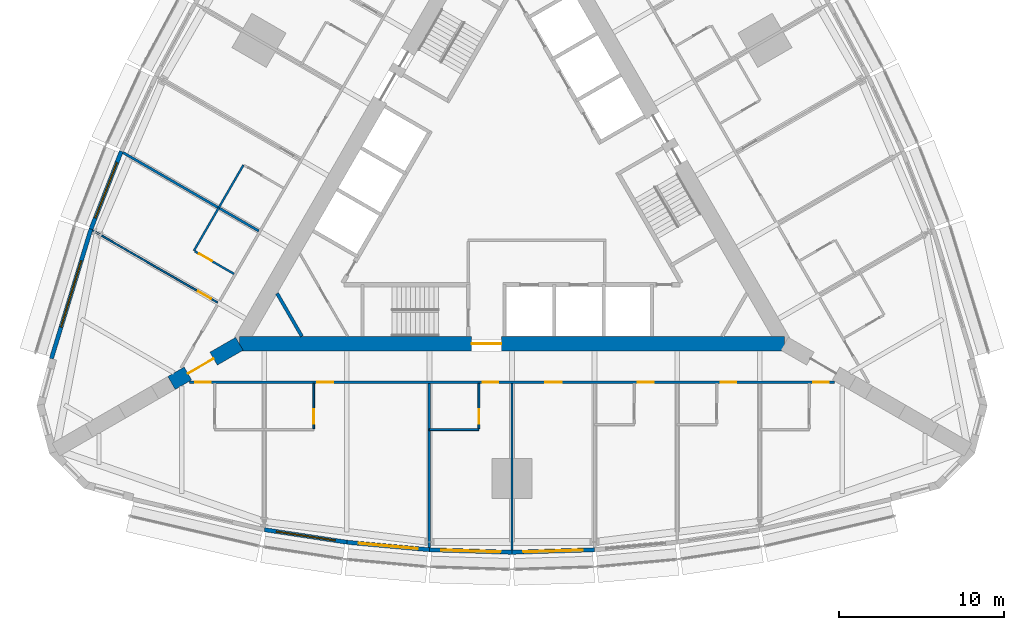
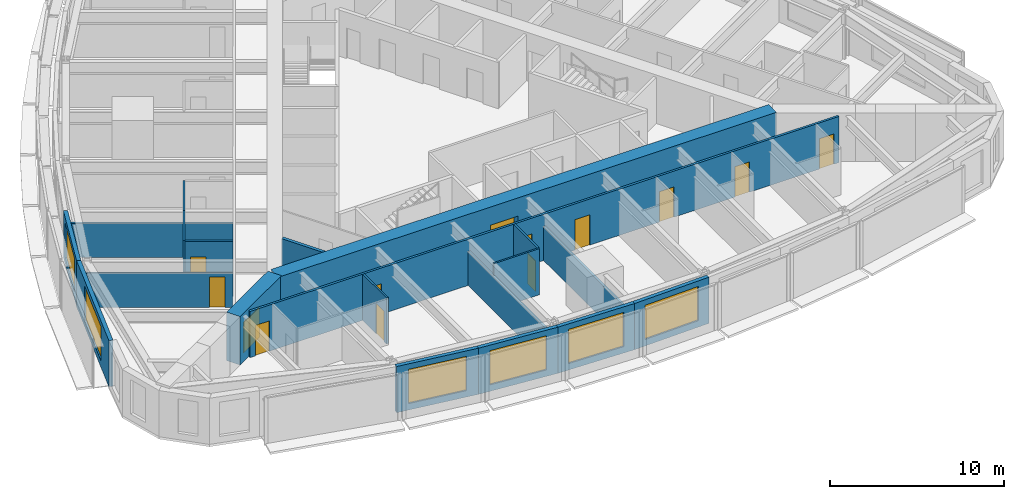
# One storey, part 8 of 14: 20 walls, 13 doors, 6 windows, 19 openings.
"""IFC4 building model written with IfcOpenShell, lengths in metres."""

from ifc_helpers import new_model, si_unit, direction, frame, frame_2d, origin, place, context, subcontext, project, spatial, rectangle, extrude, material, layer, layer_set, type_object, element, fill, save


model = new_model("IFC4")

# Units and contexts
model_context = context("Model", 3, precision=1e-05, world=origin(), true_north=direction((0.0, 1.0)))
body_context = subcontext(model_context, "Body", "Model", "MODEL_VIEW")
ifc_project = project(units=[si_unit("LENGTHUNIT", "METRE"), si_unit("AREAUNIT", "SQUARE_METRE"), si_unit("VOLUMEUNIT", "CUBIC_METRE"), si_unit("PLANEANGLEUNIT", "RADIAN"), si_unit("MASSUNIT", "GRAM", prefix="KILO")], contexts=[model_context])

# Site, building, storey
site_placement = place(None, origin())
site = spatial("IfcSite", under=ifc_project, at=site_placement, CompositionType="ELEMENT")
building_placement = place(site_placement, origin())
building = spatial("IfcBuilding", under=site, at=building_placement, Name="Trikona Tower", CompositionType="ELEMENT")
storey_placement = place(building_placement, frame((0.0, 0.0, 79.5)))
storey = spatial("IfcBuildingStorey", under=building, at=storey_placement, Name="L20", CompositionType="ELEMENT", Elevation=79.5)

# Wall, opening, door
ifc_material_1 = material(Name="Metal stud and cement board", Category="gypsum")
ifc_layer_1 = layer(ifc_material_1, 0.1201171875)
ifc_layer_set_1 = layer_set([ifc_layer_1], Name="Bathroom wall 120")
wall_type_1 = type_object("IfcWallType", Name="Bathroom wall 120", PredefinedType="PLUMBINGWALL", material=ifc_layer_set_1)
wall_1_placement = place(storey_placement, frame((-12.0, -11.92626953125, 0.0), z_axis=(0.0, 0.0, 1.0), x_axis=(0.0, -1.0, 0.0)))
wall_1 = element("IfcWall", 1, at=wall_1_placement, inside=storey, type_object=wall_type_1, Name="Bathroom wall 2002", PredefinedType="PLUMBINGWALL", context=body_context, shape_type="SweptSolid", body=[
    extrude(rectangle(XDim=2.739990234375, YDim=0.1201171875, at=frame_2d((1.3701171875, 0.0))), origin(), (0.0, 0.0, 1.0), 3.235107421875),
])
opening_1_placement = place(wall_1_placement, frame((1.550048828125, 0.0, 0.0)))
opening_1 = element("IfcOpeningElement", 2, at=opening_1_placement, cuts=wall_1, Name="Opening D2", PredefinedType="OPENING", context=body_context, shape_type="SweptSolid", body=[
    extrude(rectangle(XDim=0.89990234375, YDim=2.1298828125, at=frame_2d((0.449951171875, 1.06494140625))), frame((0.0, 0.070068359375, 0.0), z_axis=(0.0, -1.0, 0.0), x_axis=(1.0, 0.0, 0.0)), (0.0, 0.0, 1.0), 0.14013671875),
])
ifc_material_2 = material(Name="Steel door frame with solid-core timber leaf", Category="steel")
door_type_1 = type_object("IfcDoorType", Name="Bathroom door 900x2130", OperationType="SLIDING_TO_LEFT", PredefinedType="DOOR", material=ifc_material_2)
door_1_placement = place(opening_1_placement, origin())
door_1 = element("IfcDoor", 3, at=door_1_placement, inside=storey, type_object=door_type_1, Name="Bathroom door 2002", OperationType="SLIDING_TO_LEFT", OverallHeight=2.1298828125, OverallWidth=0.89990234375, PredefinedType="DOOR", context=body_context, shape_type="SweptSolid", body=[
    extrude(rectangle(XDim=0.89990234375, YDim=2.1298828125, at=frame_2d((0.449951171875, 1.06494140625))), frame((0.0, 0.02490234375, 0.0), z_axis=(0.0, -1.0, 0.0), x_axis=(1.0, 0.0, 0.0)), (0.0, 0.0, 1.0), 0.050048828125),
])
fill(opening_1, door_1)

# Wall
wall_2_placement = place(storey_placement, frame((-5.0, -14.726318359375, 0.0), z_axis=(0.0, 0.0, 1.0), x_axis=(1.0, 0.0, 0.0)))
element("IfcWall", 4, at=wall_2_placement, inside=storey, type_object=wall_type_1, Name="Bathroom wall 2003", PredefinedType="PLUMBINGWALL", context=body_context, shape_type="SweptSolid", body=[
    extrude(rectangle(XDim=3.0, YDim=0.1201171875, at=frame_2d((1.5, 0.0))), origin(), (0.0, 0.0, 1.0), 3.235107421875),
])

# Wall, opening, door
wall_3_placement = place(storey_placement, frame((-2.0, -11.92626953125, 0.0), z_axis=(0.0, 0.0, 1.0), x_axis=(0.0, -1.0, 0.0)))
wall_3 = element("IfcWall", 5, at=wall_3_placement, inside=storey, type_object=wall_type_1, Name="Bathroom wall 2003", PredefinedType="PLUMBINGWALL", context=body_context, shape_type="SweptSolid", body=[
    extrude(rectangle(XDim=2.739990234375, YDim=0.1201171875, at=frame_2d((1.3701171875, 0.0))), origin(), (0.0, 0.0, 1.0), 3.235107421875),
])
opening_2_placement = place(wall_3_placement, frame((1.550048828125, 0.0, 0.0)))
opening_2 = element("IfcOpeningElement", 6, at=opening_2_placement, cuts=wall_3, Name="Opening D2", PredefinedType="OPENING", context=body_context, shape_type="SweptSolid", body=[
    extrude(rectangle(XDim=0.89990234375, YDim=2.1298828125, at=frame_2d((0.449951171875, 1.06494140625))), frame((0.0, 0.070068359375, 0.0), z_axis=(0.0, -1.0, 0.0), x_axis=(1.0, 0.0, 0.0)), (0.0, 0.0, 1.0), 0.14013671875),
])
door_2_placement = place(opening_2_placement, origin())
door_2 = element("IfcDoor", 7, at=door_2_placement, inside=storey, type_object=door_type_1, Name="Bathroom door 2003", OperationType="SLIDING_TO_LEFT", OverallHeight=2.1298828125, OverallWidth=0.89990234375, PredefinedType="DOOR", context=body_context, shape_type="SweptSolid", body=[
    extrude(rectangle(XDim=0.89990234375, YDim=2.1298828125, at=frame_2d((0.449951171875, 1.06494140625))), frame((0.0, 0.02490234375, 0.0), z_axis=(0.0, -1.0, 0.0), x_axis=(1.0, 0.0, 0.0)), (0.0, 0.0, 1.0), 0.050048828125),
])
fill(opening_2, door_2)

# Walls
for number, where, z_axis, x_axis, name in (
    (8, (-16.25341796875, 1.301025390625, 0.0), (0.0, 0.0, 1.0), (-0.499990139034, -0.866031096941, 0.0), "Bathroom wall 2015.1"),
    (9, (-17.75341796875, -1.297119140625, 0.0), (0.0, 0.0, 1.0), (-0.499990139034, -0.866031096941, 0.0), "Bathroom wall 2016.1"),
):
    element("IfcWall", number, at=place(storey_placement, frame(where, z_axis=z_axis, x_axis=x_axis)), inside=storey, type_object=wall_type_1, Name=name, PredefinedType="PLUMBINGWALL", context=body_context, shape_type="SweptSolid", body=[
        extrude(rectangle(XDim=3.0, YDim=0.1201171875, at=frame_2d((1.5, 0.0))), origin(), (0.0, 0.0, 1.0), 3.235107421875),
    ])

# Wall, opening, door
wall_4_placement = place(storey_placement, frame((-16.82861328125, -5.295166015625, 0.0), z_axis=(0.0, 0.0, 1.0), x_axis=(-0.866035715982, 0.499982138324, 0.0)))
wall_4 = element("IfcWall", 10, at=wall_4_placement, inside=storey, type_object=wall_type_1, Name="Bathroom wall 2016.1", PredefinedType="PLUMBINGWALL", context=body_context, shape_type="SweptSolid", body=[
    extrude(rectangle(XDim=2.73974609375, YDim=0.1201171875, at=frame_2d((1.369873046875, 0.0))), origin(), (0.0, 0.0, 1.0), 3.235107421875),
])
opening_3_placement = place(wall_4_placement, frame((1.550048828125, 0.0, 0.0)))
opening_3 = element("IfcOpeningElement", 11, at=opening_3_placement, cuts=wall_4, Name="Opening D2", PredefinedType="OPENING", context=body_context, shape_type="SweptSolid", body=[
    extrude(rectangle(XDim=0.89990234375, YDim=2.1298828125, at=frame_2d((0.449951171875, 1.06494140625))), frame((0.0, 0.070068359375, 0.0), z_axis=(0.0, -1.0, 0.0), x_axis=(1.0, 0.0, 0.0)), (0.0, 0.0, 1.0), 0.14013671875),
])
door_3_placement = place(opening_3_placement, origin())
door_3 = element("IfcDoor", 12, at=door_3_placement, inside=storey, type_object=door_type_1, Name="Bathroom door 2016.1", OperationType="SLIDING_TO_LEFT", OverallHeight=2.1298828125, OverallWidth=0.89990234375, PredefinedType="DOOR", context=body_context, shape_type="SweptSolid", body=[
    extrude(rectangle(XDim=0.89990234375, YDim=2.1298828125, at=frame_2d((0.449951171875, 1.06494140625))), frame((0.0, 0.02490234375, 0.0), z_axis=(0.0, -1.0, 0.0), x_axis=(1.0, 0.0, 0.0)), (0.0, 0.0, 1.0), 0.050048828125),
])
fill(opening_3, door_3)

ifc_material_3 = material(Name="Concrete f'c 10000 psi", Category="concrete")
ifc_layer_2 = layer(ifc_material_3, 0.89990234375)
ifc_layer_set_2 = layer_set([ifc_layer_2], Name="Buttress wall 900")
wall_type_2 = type_object("IfcWallType", Name="Buttress wall 900", PredefinedType="SHEAR", material=ifc_layer_set_2)
wall_5_placement = place(storey_placement, frame((-16.5, -9.5263671875, 0.0), z_axis=(0.0, 0.0, 1.0), x_axis=(-0.866031398331, -0.499989616998, 0.0)))
wall_5 = element("IfcWall", 13, at=wall_5_placement, inside=storey, type_object=wall_type_2, Name="Buttress wall 3", PredefinedType="SHEAR", context=body_context, shape_type="SweptSolid", body=[
    extrude(rectangle(XDim=4.74609375, YDim=0.89990234375, at=frame_2d((2.373046875, 0.0))), origin(), (0.0, 0.0, 1.0), 3.39990234375),
])
opening_4_placement = place(wall_5_placement, frame((1.800048828125, 0.0, 0.0)))
opening_4 = element("IfcOpeningElement", 14, at=opening_4_placement, cuts=wall_5, Name="Opening D10", PredefinedType="OPENING", context=body_context, shape_type="SweptSolid", body=[
    extrude(rectangle(XDim=1.800048828125, YDim=2.1298828125, at=frame_2d((0.89990234375, 1.06494140625))), frame((0.0, 0.4599609375, 0.0), z_axis=(0.0, -1.0, 0.0), x_axis=(1.0, 0.0, 0.0)), (0.0, 0.0, 1.0), 0.919921875),
])
ifc_material_4 = material(Name="Hollow metal door and frame", Category="steel")
door_type_2 = type_object("IfcDoorType", Name="Cross-corridor door pair 1800x2130", OperationType="DOUBLE_DOOR_DOUBLE_SWING", PredefinedType="DOOR", material=ifc_material_4)
door_4_placement = place(opening_4_placement, origin())
door_4 = element("IfcDoor", 15, at=door_4_placement, inside=storey, type_object=door_type_2, Name="Cross-corridor door 3", OperationType="DOUBLE_DOOR_DOUBLE_SWING", OverallHeight=2.1298828125, OverallWidth=1.800048828125, PredefinedType="DOOR", context=body_context, shape_type="SweptSolid", body=[
    extrude(rectangle(XDim=1.800048828125, YDim=2.1298828125, at=frame_2d((0.89990234375, 1.06494140625))), frame((0.0, 0.02490234375, 0.0), z_axis=(0.0, -1.0, 0.0), x_axis=(1.0, 0.0, 0.0)), (0.0, 0.0, 1.0), 0.050048828125),
])
fill(opening_4, door_4)

ifc_material_5 = material(Name="Concrete f'c 10000 psi", Category="concrete")
ifc_layer_3 = layer(ifc_material_5, 0.89990234375)
ifc_layer_set_3 = layer_set([ifc_layer_3], Name="Core wall 900")
wall_type_3 = type_object("IfcWallType", Name="Core wall 900", PredefinedType="SHEAR", material=ifc_layer_set_3)
wall_6_placement = place(storey_placement, frame((-16.5, -9.5263671875, 0.0), z_axis=(0.0, 0.0, 1.0), x_axis=(1.0, 0.0, 0.0)))
wall_6 = element("IfcWall", 16, at=wall_6_placement, inside=storey, type_object=wall_type_3, Name="Core wall A", PredefinedType="SHEAR", context=body_context, shape_type="SweptSolid", body=[
    extrude(rectangle(XDim=33.0, YDim=0.89990234375, at=frame_2d((16.5, 0.0))), origin(), (0.0, 0.0, 1.0), 3.39990234375),
])
opening_5_placement = place(wall_6_placement, frame((14.050048828125, 0.0, 0.0)))
opening_5 = element("IfcOpeningElement", 17, at=opening_5_placement, cuts=wall_6, Name="Opening D6", PredefinedType="OPENING", context=body_context, shape_type="SweptSolid", body=[
    extrude(rectangle(XDim=1.800048828125, YDim=2.1298828125, at=frame_2d((0.89990234375, 1.06494140625))), frame((0.0, 0.4599609375, 0.0), z_axis=(0.0, -1.0, 0.0), x_axis=(1.0, 0.0, 0.0)), (0.0, 0.0, 1.0), 0.919921875),
])
ifc_material_6 = material(Name="Hollow metal door and frame", Category="steel")
door_type_3 = type_object("IfcDoorType", Name="Lobby door pair 1800x2130", OperationType="DOUBLE_DOOR_SINGLE_SWING", PredefinedType="DOOR", material=ifc_material_6)
door_5_placement = place(opening_5_placement, origin())
door_5 = element("IfcDoor", 18, at=door_5_placement, inside=storey, type_object=door_type_3, Name="Fire service lift lobby door", OperationType="DOUBLE_DOOR_SINGLE_SWING", OverallHeight=2.1298828125, OverallWidth=1.800048828125, PredefinedType="DOOR", context=body_context, shape_type="SweptSolid", body=[
    extrude(rectangle(XDim=1.800048828125, YDim=2.1298828125, at=frame_2d((0.89990234375, 1.06494140625))), frame((0.0, 0.02490234375, 0.0), z_axis=(0.0, -1.0, 0.0), x_axis=(1.0, 0.0, 0.0)), (0.0, 0.0, 1.0), 0.050048828125),
])
fill(opening_5, door_5)

# Wall, openings, doors
ifc_material_7 = material(Name="Metal stud and gypsum board, 1-hour", Category="gypsum")
ifc_layer_4 = layer(ifc_material_7, 0.14990234375)
ifc_layer_set_4 = layer_set([ifc_layer_4], Name="Corridor wall 150")
wall_type_4 = type_object("IfcWallType", Name="Corridor wall 150", PredefinedType="PARTITIONING", material=ifc_layer_set_4)
wall_7_placement = place(storey_placement, frame((-19.527099609375, -11.851318359375, 0.0), z_axis=(0.0, 0.0, 1.0), x_axis=(1.0, 0.0, 0.0)))
wall_7 = element("IfcWall", 19, at=wall_7_placement, inside=storey, type_object=wall_type_4, Name="Corridor wall L20-1", PredefinedType="PARTITIONING", context=body_context, shape_type="SweptSolid", body=[
    extrude(rectangle(XDim=39.05419921875, YDim=0.14990234375, at=frame_2d((19.527099609375, 0.0))), origin(), (0.0, 0.0, 1.0), 3.235107421875),
])
opening_6_placement = place(wall_7_placement, frame((0.35205078125, 0.0, 0.0)))
opening_6 = element("IfcOpeningElement", 20, at=opening_6_placement, cuts=wall_7, Name="Opening D1", PredefinedType="OPENING", context=body_context, shape_type="SweptSolid", body=[
    extrude(rectangle(XDim=0.949951171875, YDim=2.1298828125, at=frame_2d((0.47509765625, 1.06494140625))), frame((0.0, 0.0849609375, 0.0), z_axis=(0.0, -1.0, 0.0), x_axis=(1.0, 0.0, 0.0)), (0.0, 0.0, 1.0), 0.169921875),
])
opening_7_placement = place(wall_7_placement, frame((7.751953125, 0.0, 0.0)))
opening_7 = element("IfcOpeningElement", 21, at=opening_7_placement, cuts=wall_7, Name="Opening D1", PredefinedType="OPENING", context=body_context, shape_type="SweptSolid", body=[
    extrude(rectangle(XDim=0.949951171875, YDim=2.1298828125, at=frame_2d((0.47509765625, 1.06494140625))), frame((0.0, 0.0849609375, 0.0), z_axis=(0.0, -1.0, 0.0), x_axis=(1.0, 0.0, 0.0)), (0.0, 0.0, 1.0), 0.169921875),
])
opening_8_placement = place(wall_7_placement, frame((17.751953125, 0.0, 0.0)))
opening_8 = element("IfcOpeningElement", 22, at=opening_8_placement, cuts=wall_7, Name="Opening D1", PredefinedType="OPENING", context=body_context, shape_type="SweptSolid", body=[
    extrude(rectangle(XDim=0.949951171875, YDim=2.1298828125, at=frame_2d((0.47509765625, 1.06494140625))), frame((0.0, 0.0849609375, 0.0), z_axis=(0.0, -1.0, 0.0), x_axis=(1.0, 0.0, 0.0)), (0.0, 0.0, 1.0), 0.169921875),
])
opening_9_placement = place(wall_7_placement, frame((21.527099609375, 0.0, 0.0)))
opening_9 = element("IfcOpeningElement", 23, at=opening_9_placement, cuts=wall_7, Name="Opening D3", PredefinedType="OPENING", context=body_context, shape_type="SweptSolid", body=[
    extrude(rectangle(XDim=1.0, YDim=2.1298828125, at=frame_2d((0.5, 1.06494140625))), frame((0.0, 0.0849609375, 0.0), z_axis=(0.0, -1.0, 0.0), x_axis=(1.0, 0.0, 0.0)), (0.0, 0.0, 1.0), 0.169921875),
])
opening_10_placement = place(wall_7_placement, frame((27.152099609375, 0.0, 0.0)))
opening_10 = element("IfcOpeningElement", 24, at=opening_10_placement, cuts=wall_7, Name="Opening D1", PredefinedType="OPENING", context=body_context, shape_type="SweptSolid", body=[
    extrude(rectangle(XDim=0.949951171875, YDim=2.1298828125, at=frame_2d((0.47509765625, 1.06494140625))), frame((0.0, 0.0849609375, 0.0), z_axis=(0.0, -1.0, 0.0), x_axis=(1.0, 0.0, 0.0)), (0.0, 0.0, 1.0), 0.169921875),
])
opening_11_placement = place(wall_7_placement, frame((32.152099609375, 0.0, 0.0)))
opening_11 = element("IfcOpeningElement", 25, at=opening_11_placement, cuts=wall_7, Name="Opening D1", PredefinedType="OPENING", context=body_context, shape_type="SweptSolid", body=[
    extrude(rectangle(XDim=0.949951171875, YDim=2.1298828125, at=frame_2d((0.47509765625, 1.06494140625))), frame((0.0, 0.0849609375, 0.0), z_axis=(0.0, -1.0, 0.0), x_axis=(1.0, 0.0, 0.0)), (0.0, 0.0, 1.0), 0.169921875),
])
opening_12_placement = place(wall_7_placement, frame((37.751953125, 0.0, 0.0)))
opening_12 = element("IfcOpeningElement", 26, at=opening_12_placement, cuts=wall_7, Name="Opening D1", PredefinedType="OPENING", context=body_context, shape_type="SweptSolid", body=[
    extrude(rectangle(XDim=0.949951171875, YDim=2.1298828125, at=frame_2d((0.47509765625, 1.06494140625))), frame((0.0, 0.0849609375, 0.0), z_axis=(0.0, -1.0, 0.0), x_axis=(1.0, 0.0, 0.0)), (0.0, 0.0, 1.0), 0.169921875),
])
ifc_material_8 = material(Name="Steel door frame with solid-core timber leaf", Category="steel")
door_type_4 = type_object("IfcDoorType", Name="Guest room door 950x2130", OperationType="SINGLE_SWING_LEFT", PredefinedType="DOOR", material=ifc_material_8)
door_6_placement = place(opening_6_placement, origin())
door_6 = element("IfcDoor", 27, at=door_6_placement, inside=storey, type_object=door_type_4, Name="Room door 2001", OperationType="SINGLE_SWING_LEFT", OverallHeight=2.1298828125, OverallWidth=0.949951171875, PredefinedType="DOOR", context=body_context, shape_type="SweptSolid", body=[
    extrude(rectangle(XDim=0.949951171875, YDim=2.1298828125, at=frame_2d((0.47509765625, 1.06494140625))), frame((0.0, 0.02490234375, 0.0), z_axis=(0.0, -1.0, 0.0), x_axis=(1.0, 0.0, 0.0)), (0.0, 0.0, 1.0), 0.050048828125),
])
fill(opening_6, door_6)
door_7_placement = place(opening_7_placement, origin())
door_7 = element("IfcDoor", 28, at=door_7_placement, inside=storey, type_object=door_type_4, Name="Room door 2002", OperationType="SINGLE_SWING_RIGHT", OverallHeight=2.1298828125, OverallWidth=0.949951171875, PredefinedType="DOOR", context=body_context, shape_type="SweptSolid", body=[
    extrude(rectangle(XDim=0.949951171875, YDim=2.1298828125, at=frame_2d((0.47509765625, 1.06494140625))), frame((0.0, 0.02490234375, 0.0), z_axis=(0.0, -1.0, 0.0), x_axis=(1.0, 0.0, 0.0)), (0.0, 0.0, 1.0), 0.050048828125),
])
fill(opening_7, door_7)
door_8_placement = place(opening_8_placement, origin())
door_8 = element("IfcDoor", 29, at=door_8_placement, inside=storey, type_object=door_type_4, Name="Room door 2003", OperationType="SINGLE_SWING_LEFT", OverallHeight=2.1298828125, OverallWidth=0.949951171875, PredefinedType="DOOR", context=body_context, shape_type="SweptSolid", body=[
    extrude(rectangle(XDim=0.949951171875, YDim=2.1298828125, at=frame_2d((0.47509765625, 1.06494140625))), frame((0.0, 0.02490234375, 0.0), z_axis=(0.0, -1.0, 0.0), x_axis=(1.0, 0.0, 0.0)), (0.0, 0.0, 1.0), 0.050048828125),
])
fill(opening_8, door_8)
door_9_placement = place(opening_10_placement, origin())
door_9 = element("IfcDoor", 30, at=door_9_placement, inside=storey, type_object=door_type_4, Name="Room door 2004", OperationType="SINGLE_SWING_LEFT", OverallHeight=2.1298828125, OverallWidth=0.949951171875, PredefinedType="DOOR", context=body_context, shape_type="SweptSolid", body=[
    extrude(rectangle(XDim=0.949951171875, YDim=2.1298828125, at=frame_2d((0.47509765625, 1.06494140625))), frame((0.0, 0.02490234375, 0.0), z_axis=(0.0, -1.0, 0.0), x_axis=(1.0, 0.0, 0.0)), (0.0, 0.0, 1.0), 0.050048828125),
])
fill(opening_10, door_9)
door_10_placement = place(opening_11_placement, origin())
door_10 = element("IfcDoor", 31, at=door_10_placement, inside=storey, type_object=door_type_4, Name="Room door 2005", OperationType="SINGLE_SWING_RIGHT", OverallHeight=2.1298828125, OverallWidth=0.949951171875, PredefinedType="DOOR", context=body_context, shape_type="SweptSolid", body=[
    extrude(rectangle(XDim=0.949951171875, YDim=2.1298828125, at=frame_2d((0.47509765625, 1.06494140625))), frame((0.0, 0.02490234375, 0.0), z_axis=(0.0, -1.0, 0.0), x_axis=(1.0, 0.0, 0.0)), (0.0, 0.0, 1.0), 0.050048828125),
])
fill(opening_11, door_10)
door_11_placement = place(opening_12_placement, origin())
door_11 = element("IfcDoor", 32, at=door_11_placement, inside=storey, type_object=door_type_4, Name="Room door 2006", OperationType="SINGLE_SWING_RIGHT", OverallHeight=2.1298828125, OverallWidth=0.949951171875, PredefinedType="DOOR", context=body_context, shape_type="SweptSolid", body=[
    extrude(rectangle(XDim=0.949951171875, YDim=2.1298828125, at=frame_2d((0.47509765625, 1.06494140625))), frame((0.0, 0.02490234375, 0.0), z_axis=(0.0, -1.0, 0.0), x_axis=(1.0, 0.0, 0.0)), (0.0, 0.0, 1.0), 0.050048828125),
])
fill(opening_12, door_11)
ifc_material_9 = material(Name="Steel door frame with solid-core timber leaf", Category="steel")
door_type_5 = type_object("IfcDoorType", Name="Room door 1000x2130", OperationType="SINGLE_SWING_LEFT", PredefinedType="DOOR", material=ifc_material_9)
door_12_placement = place(opening_9_placement, origin())
door_12 = element("IfcDoor", 33, at=door_12_placement, inside=storey, type_object=door_type_5, Name="Door Housekeeping pantry", OperationType="SINGLE_SWING_RIGHT", OverallHeight=2.1298828125, OverallWidth=1.0, PredefinedType="DOOR", context=body_context, shape_type="SweptSolid", body=[
    extrude(rectangle(XDim=1.0, YDim=2.1298828125, at=frame_2d((0.5, 1.06494140625))), frame((0.0, 0.02490234375, 0.0), z_axis=(0.0, -1.0, 0.0), x_axis=(1.0, 0.0, 0.0)), (0.0, 0.0, 1.0), 0.050048828125),
])
fill(opening_9, door_12)

# Wall, opening, window
ifc_material_10 = material(Name="Insulated precast concrete spandrel panel", Category="concrete")
ifc_layer_5 = layer(ifc_material_10, 0.25)
ifc_layer_set_5 = layer_set([ifc_layer_5], Name="Inner skin wall 250")
wall_type_5 = type_object("IfcWallType", Name="Inner skin wall 250", PredefinedType="STANDARD", material=ifc_layer_set_5)
wall_8_placement = place(storey_placement, frame((-14.981201171875, -20.779296875, 0.0), z_axis=(0.0, 0.0, 1.0), x_axis=(0.988615403399, -0.150464561152, 0.0)))
wall_8 = element("IfcWall", 34, at=wall_8_placement, inside=storey, type_object=wall_type_5, Name="External wall L20-01", PredefinedType="STANDARD", context=body_context, shape_type="SweptSolid", body=[
    extrude(rectangle(XDim=5.0576171875, YDim=0.25, at=frame_2d((2.52880859375, 0.0))), origin(), (0.0, 0.0, 1.0), 3.235107421875),
])
opening_13_placement = place(wall_8_placement, frame((0.728759765625, 0.0, 0.449951171875)))
opening_13 = element("IfcOpeningElement", 35, at=opening_13_placement, cuts=wall_8, Name="Opening W3624", PredefinedType="OPENING", context=body_context, shape_type="SweptSolid", body=[
    extrude(rectangle(XDim=3.60009765625, YDim=2.39990234375, at=frame_2d((1.800048828125, 1.199951171875))), frame((0.0, 0.135009765625, 0.0), z_axis=(0.0, -1.0, 0.0), x_axis=(1.0, 0.0, 0.0)), (0.0, 0.0, 1.0), 0.27001953125),
])
ifc_material_11 = material(Name="Aluminium-framed double glazing", Category="aluminium")
window_type_1 = type_object("IfcWindowType", Name="Window 3600x2400", PartitioningType="SINGLE_PANEL", PredefinedType="WINDOW", material=ifc_material_11)
window_1_placement = place(opening_13_placement, origin())
window_1 = element("IfcWindow", 36, at=window_1_placement, inside=storey, type_object=window_type_1, Name="Window 2002", OverallHeight=2.39990234375, OverallWidth=3.60009765625, PartitioningType="SINGLE_PANEL", PredefinedType="WINDOW", context=body_context, shape_type="SweptSolid", body=[
    extrude(rectangle(XDim=3.60009765625, YDim=2.39990234375, at=frame_2d((1.800048828125, 1.199951171875))), frame((0.0, 0.030029296875, 0.0), z_axis=(0.0, -1.0, 0.0), x_axis=(1.0, 0.0, 0.0)), (0.0, 0.0, 1.0), 0.06005859375),
])
fill(opening_13, window_1)

wall_9_placement = place(storey_placement, frame((-9.988525390625, -21.539306640625, 0.0), z_axis=(0.0, 0.0, 1.0), x_axis=(0.995857256774, -0.090930325692, 0.0)))
wall_9 = element("IfcWall", 37, at=wall_9_placement, inside=storey, type_object=wall_type_5, Name="External wall L20-02", PredefinedType="STANDARD", context=body_context, shape_type="SweptSolid", body=[
    extrude(rectangle(XDim=5.020751953125, YDim=0.25, at=frame_2d((2.51025390625, 0.0))), origin(), (0.0, 0.0, 1.0), 3.235107421875),
])
opening_14_placement = place(wall_9_placement, frame((0.71044921875, 0.0, 0.449951171875)))
opening_14 = element("IfcOpeningElement", 38, at=opening_14_placement, cuts=wall_9, Name="Opening W3624", PredefinedType="OPENING", context=body_context, shape_type="SweptSolid", body=[
    extrude(rectangle(XDim=3.60009765625, YDim=2.39990234375, at=frame_2d((1.800048828125, 1.199951171875))), frame((0.0, 0.135009765625, 0.0), z_axis=(0.0, -1.0, 0.0), x_axis=(1.0, 0.0, 0.0)), (0.0, 0.0, 1.0), 0.27001953125),
])
window_2_placement = place(opening_14_placement, origin())
window_2 = element("IfcWindow", 39, at=window_2_placement, inside=storey, type_object=window_type_1, Name="Window 2002", OverallHeight=2.39990234375, OverallWidth=3.60009765625, PartitioningType="SINGLE_PANEL", PredefinedType="WINDOW", context=body_context, shape_type="SweptSolid", body=[
    extrude(rectangle(XDim=3.60009765625, YDim=2.39990234375, at=frame_2d((1.800048828125, 1.199951171875))), frame((0.0, 0.030029296875, 0.0), z_axis=(0.0, -1.0, 0.0), x_axis=(1.0, 0.0, 0.0)), (0.0, 0.0, 1.0), 0.06005859375),
])
fill(opening_14, window_2)

wall_10_placement = place(storey_placement, frame((-4.99609375, -21.99560546875, 0.0), z_axis=(0.0, 0.0, 1.0), x_axis=(0.999537635046, -0.030405856769, 0.0)))
wall_10 = element("IfcWall", 40, at=wall_10_placement, inside=storey, type_object=wall_type_5, Name="External wall L20-03", PredefinedType="STANDARD", context=body_context, shape_type="SweptSolid", body=[
    extrude(rectangle(XDim=5.002197265625, YDim=0.25, at=frame_2d((2.5009765625, 0.0))), origin(), (0.0, 0.0, 1.0), 3.235107421875),
])
opening_15_placement = place(wall_10_placement, frame((0.701171875, 0.0, 0.449951171875)))
opening_15 = element("IfcOpeningElement", 41, at=opening_15_placement, cuts=wall_10, Name="Opening W3624", PredefinedType="OPENING", context=body_context, shape_type="SweptSolid", body=[
    extrude(rectangle(XDim=3.60009765625, YDim=2.39990234375, at=frame_2d((1.800048828125, 1.199951171875))), frame((0.0, 0.135009765625, 0.0), z_axis=(0.0, -1.0, 0.0), x_axis=(1.0, 0.0, 0.0)), (0.0, 0.0, 1.0), 0.27001953125),
])
window_3_placement = place(opening_15_placement, origin())
window_3 = element("IfcWindow", 42, at=window_3_placement, inside=storey, type_object=window_type_1, Name="Window 2003", OverallHeight=2.39990234375, OverallWidth=3.60009765625, PartitioningType="SINGLE_PANEL", PredefinedType="WINDOW", context=body_context, shape_type="SweptSolid", body=[
    extrude(rectangle(XDim=3.60009765625, YDim=2.39990234375, at=frame_2d((1.800048828125, 1.199951171875))), frame((0.0, 0.030029296875, 0.0), z_axis=(0.0, -1.0, 0.0), x_axis=(1.0, 0.0, 0.0)), (0.0, 0.0, 1.0), 0.06005859375),
])
fill(opening_15, window_3)

wall_11_placement = place(storey_placement, frame((-0.00390625, -22.147705078125, 0.0), z_axis=(0.0, 0.0, 1.0), x_axis=(0.999537635046, 0.030405856769, 0.0)))
wall_11 = element("IfcWall", 43, at=wall_11_placement, inside=storey, type_object=wall_type_5, Name="External wall L20-04", PredefinedType="STANDARD", context=body_context, shape_type="SweptSolid", body=[
    extrude(rectangle(XDim=5.002197265625, YDim=0.25, at=frame_2d((2.5009765625, 0.0))), origin(), (0.0, 0.0, 1.0), 3.235107421875),
])
opening_16_placement = place(wall_11_placement, frame((0.701171875, 0.0, 0.449951171875)))
opening_16 = element("IfcOpeningElement", 44, at=opening_16_placement, cuts=wall_11, Name="Opening W3624", PredefinedType="OPENING", context=body_context, shape_type="SweptSolid", body=[
    extrude(rectangle(XDim=3.60009765625, YDim=2.39990234375, at=frame_2d((1.800048828125, 1.199951171875))), frame((0.0, 0.135009765625, 0.0), z_axis=(0.0, -1.0, 0.0), x_axis=(1.0, 0.0, 0.0)), (0.0, 0.0, 1.0), 0.27001953125),
])
window_4_placement = place(opening_16_placement, origin())
window_4 = element("IfcWindow", 45, at=window_4_placement, inside=storey, type_object=window_type_1, Name="Window L20-HKP", OverallHeight=2.39990234375, OverallWidth=3.60009765625, PartitioningType="SINGLE_PANEL", PredefinedType="WINDOW", context=body_context, shape_type="SweptSolid", body=[
    extrude(rectangle(XDim=3.60009765625, YDim=2.39990234375, at=frame_2d((1.800048828125, 1.199951171875))), frame((0.0, 0.030029296875, 0.0), z_axis=(0.0, -1.0, 0.0), x_axis=(1.0, 0.0, 0.0)), (0.0, 0.0, 1.0), 0.06005859375),
])
fill(opening_16, window_4)

wall_12_placement = place(storey_placement, frame((-23.64501953125, 2.126220703125, 0.0), z_axis=(0.0, 0.0, 1.0), x_axis=(-0.364013463868, -0.931393685894, 0.0)))
wall_12 = element("IfcWall", 46, at=wall_12_placement, inside=storey, type_object=wall_type_5, Name="External wall L20-30", PredefinedType="STANDARD", context=body_context, shape_type="SweptSolid", body=[
    extrude(rectangle(XDim=5.0576171875, YDim=0.25, at=frame_2d((2.52880859375, 0.0))), origin(), (0.0, 0.0, 1.0), 3.235107421875),
])
opening_17_placement = place(wall_12_placement, frame((0.728759765625, 0.0, 0.449951171875)))
opening_17 = element("IfcOpeningElement", 47, at=opening_17_placement, cuts=wall_12, Name="Opening W3624", PredefinedType="OPENING", context=body_context, shape_type="SweptSolid", body=[
    extrude(rectangle(XDim=3.60009765625, YDim=2.39990234375, at=frame_2d((1.800048828125, 1.199951171875))), frame((0.0, 0.135009765625, 0.0), z_axis=(0.0, -1.0, 0.0), x_axis=(1.0, 0.0, 0.0)), (0.0, 0.0, 1.0), 0.27001953125),
])
window_5_placement = place(opening_17_placement, origin())
window_5 = element("IfcWindow", 48, at=window_5_placement, inside=storey, type_object=window_type_1, Name="Window 2016.1", OverallHeight=2.39990234375, OverallWidth=3.60009765625, PartitioningType="SINGLE_PANEL", PredefinedType="WINDOW", context=body_context, shape_type="SweptSolid", body=[
    extrude(rectangle(XDim=3.60009765625, YDim=2.39990234375, at=frame_2d((1.800048828125, 1.199951171875))), frame((0.0, 0.030029296875, 0.0), z_axis=(0.0, -1.0, 0.0), x_axis=(1.0, 0.0, 0.0)), (0.0, 0.0, 1.0), 0.06005859375),
])
fill(opening_17, window_5)

wall_13_placement = place(storey_placement, frame((-25.48291015625, -2.575439453125, 0.0), z_axis=(0.0, 0.0, 1.0), x_axis=(-0.2919790669, -0.956424709265, 0.0)))
wall_13 = element("IfcWall", 49, at=wall_13_placement, inside=storey, type_object=wall_type_5, Name="External wall L20-31", PredefinedType="STANDARD", context=body_context, shape_type="SweptSolid", body=[
    extrude(rectangle(XDim=8.211181640625, YDim=0.25, at=frame_2d((4.10546875, 0.0))), origin(), (0.0, 0.0, 1.0), 3.235107421875),
])
opening_18_placement = place(wall_13_placement, frame((2.005615234375, 0.0, 0.449951171875)))
opening_18 = element("IfcOpeningElement", 50, at=opening_18_placement, cuts=wall_13, Name="Opening W4224", PredefinedType="OPENING", context=body_context, shape_type="SweptSolid", body=[
    extrude(rectangle(XDim=4.199951171875, YDim=2.39990234375, at=frame_2d((2.10009765625, 1.199951171875))), frame((0.0, 0.135009765625, 0.0), z_axis=(0.0, -1.0, 0.0), x_axis=(1.0, 0.0, 0.0)), (0.0, 0.0, 1.0), 0.27001953125),
])
ifc_material_12 = material(Name="Aluminium-framed double glazing", Category="aluminium")
window_type_2 = type_object("IfcWindowType", Name="Window 4200x2400", PartitioningType="SINGLE_PANEL", PredefinedType="WINDOW", material=ifc_material_12)
window_6_placement = place(opening_18_placement, origin())
window_6 = element("IfcWindow", 51, at=window_6_placement, inside=storey, type_object=window_type_2, Name="Window 2016", OverallHeight=2.39990234375, OverallWidth=4.199951171875, PartitioningType="SINGLE_PANEL", PredefinedType="WINDOW", context=body_context, shape_type="SweptSolid", body=[
    extrude(rectangle(XDim=4.199951171875, YDim=2.39990234375, at=frame_2d((2.10009765625, 1.199951171875))), frame((0.0, 0.030029296875, 0.0), z_axis=(0.0, -1.0, 0.0), x_axis=(1.0, 0.0, 0.0)), (0.0, 0.0, 1.0), 0.06005859375),
])
fill(opening_18, window_6)

# Walls
ifc_material_13 = material(Name="Metal stud and gypsum board, 1-hour acoustic", Category="gypsum")
ifc_layer_6 = layer(ifc_material_13, 0.14990234375)
ifc_layer_set_6 = layer_set([ifc_layer_6], Name="Party wall 150")
wall_type_6 = type_object("IfcWallType", Name="Party wall 150", PredefinedType="PARTITIONING", material=ifc_layer_set_6)
wall_14_placement = place(storey_placement, frame((-5.0, -11.92626953125, 0.0), z_axis=(0.0, 0.0, 1.0), x_axis=(0.0, -1.0, 0.0)))
element("IfcWall", 52, at=wall_14_placement, inside=storey, type_object=wall_type_6, Name="Partition L20 F1 u-5", PredefinedType="PARTITIONING", context=body_context, shape_type="SweptSolid", body=[
    extrude(rectangle(XDim=9.943115234375, YDim=0.14990234375, at=frame_2d((4.9716796875, 0.0))), origin(), (0.0, 0.0, 1.0), 2.38916015625),
])
wall_15_placement = place(storey_placement, frame((0.0, -11.92626953125, 0.0), z_axis=(0.0, 0.0, 1.0), x_axis=(0.0, -1.0, 0.0)))
element("IfcWall", 53, at=wall_15_placement, inside=storey, type_object=wall_type_6, Name="Partition L20 F1 u-1.03538e-30", PredefinedType="PARTITIONING", context=body_context, shape_type="SweptSolid", body=[
    extrude(rectangle(XDim=10.09619140625, YDim=0.14990234375, at=frame_2d((5.048095703125, 0.0))), origin(), (0.0, 0.0, 1.0), 2.38916015625),
])
wall_16_placement = place(storey_placement, frame((-15.32861328125, -2.697021484375, 0.0), z_axis=(0.0, 0.0, 1.0), x_axis=(-0.866018409083, 0.500012114982, 0.0)))
element("IfcWall", 54, at=wall_16_placement, inside=storey, type_object=wall_type_6, Name="Partition L20 F3 u10", PredefinedType="PARTITIONING", context=body_context, shape_type="SweptSolid", body=[
    extrude(rectangle(XDim=9.484619140625, YDim=0.14990234375, at=frame_2d((4.7421875, 0.0))), origin(), (0.0, 0.0, 1.0), 2.38916015625),
])
ifc_material_14 = material(Name="Concrete f'c 8000 psi", Category="concrete")
ifc_layer_7 = layer(ifc_material_14, 0.199951171875)
ifc_layer_set_7 = layer_set([ifc_layer_7], Name="Shaft wall 200")
wall_type_7 = type_object("IfcWallType", Name="Shaft wall 200", PredefinedType="SOLIDWALL", material=ifc_layer_set_7)
wall_17_placement = place(storey_placement, frame((-12.718505859375, -9.076416015625, 0.0), z_axis=(0.0, 0.0, 1.0), x_axis=(-0.499952404951, 0.866052881055, 0.0)))
element("IfcWall", 55, at=wall_17_placement, inside=storey, type_object=wall_type_7, Name="Riser wall L20-RS3", PredefinedType="SOLIDWALL", context=body_context, shape_type="SweptSolid", body=[
    extrude(rectangle(XDim=3.002197265625, YDim=0.199951171875, at=frame_2d((1.5009765625, 0.0))), origin(), (0.0, 0.0, 1.0), 3.235107421875),
])

# Wall, opening, door
ifc_material_15 = material(Name="Metal stud and gypsum board, acoustic", Category="gypsum")
ifc_layer_8 = layer(ifc_material_15, 0.10009765625)
ifc_layer_set_8 = layer_set([ifc_layer_8], Name="Suite partition 100")
wall_type_8 = type_object("IfcWallType", Name="Suite partition 100", PredefinedType="PARTITIONING", material=ifc_layer_set_8)
wall_18_placement = place(storey_placement, frame((-17.82861328125, -7.027099609375, 0.0), z_axis=(0.0, 0.0, 1.0), x_axis=(-0.866032659912, 0.499987431809, 0.0)))
wall_18 = element("IfcWall", 56, at=wall_18_placement, inside=storey, type_object=wall_type_8, Name="Suite partition L20 F3 u15", PredefinedType="PARTITIONING", context=body_context, shape_type="SweptSolid", body=[
    extrude(rectangle(XDim=8.719970703125, YDim=0.10009765625, at=frame_2d((4.35986328125, 0.0))), origin(), (0.0, 0.0, 1.0), 2.38916015625),
])
opening_19_placement = place(wall_18_placement, frame((0.449951171875, 0.0, 0.0)))
opening_19 = element("IfcOpeningElement", 57, at=opening_19_placement, cuts=wall_18, Name="Opening D13", PredefinedType="OPENING", context=body_context, shape_type="SweptSolid", body=[
    extrude(rectangle(XDim=0.89990234375, YDim=2.1298828125, at=frame_2d((0.449951171875, 1.06494140625))), frame((0.0, 0.06005859375, 0.0), z_axis=(0.0, -1.0, 0.0), x_axis=(1.0, 0.0, 0.0)), (0.0, 0.0, 1.0), 0.1201171875),
])
ifc_material_16 = material(Name="Steel door frame with solid-core timber leaf", Category="steel")
door_type_6 = type_object("IfcDoorType", Name="Suite door 900x2130", OperationType="SINGLE_SWING_LEFT", PredefinedType="DOOR", material=ifc_material_16)
door_13_placement = place(opening_19_placement, origin())
door_13 = element("IfcDoor", 58, at=door_13_placement, inside=storey, type_object=door_type_6, Name="Suite door 2016", OperationType="SINGLE_SWING_LEFT", OverallHeight=2.1298828125, OverallWidth=0.89990234375, PredefinedType="DOOR", context=body_context, shape_type="SweptSolid", body=[
    extrude(rectangle(XDim=0.89990234375, YDim=2.1298828125, at=frame_2d((0.449951171875, 1.06494140625))), frame((0.0, 0.02490234375, 0.0), z_axis=(0.0, -1.0, 0.0), x_axis=(1.0, 0.0, 0.0)), (0.0, 0.0, 1.0), 0.050048828125),
])
fill(opening_19, door_13)

save(model, "model.ifc")
